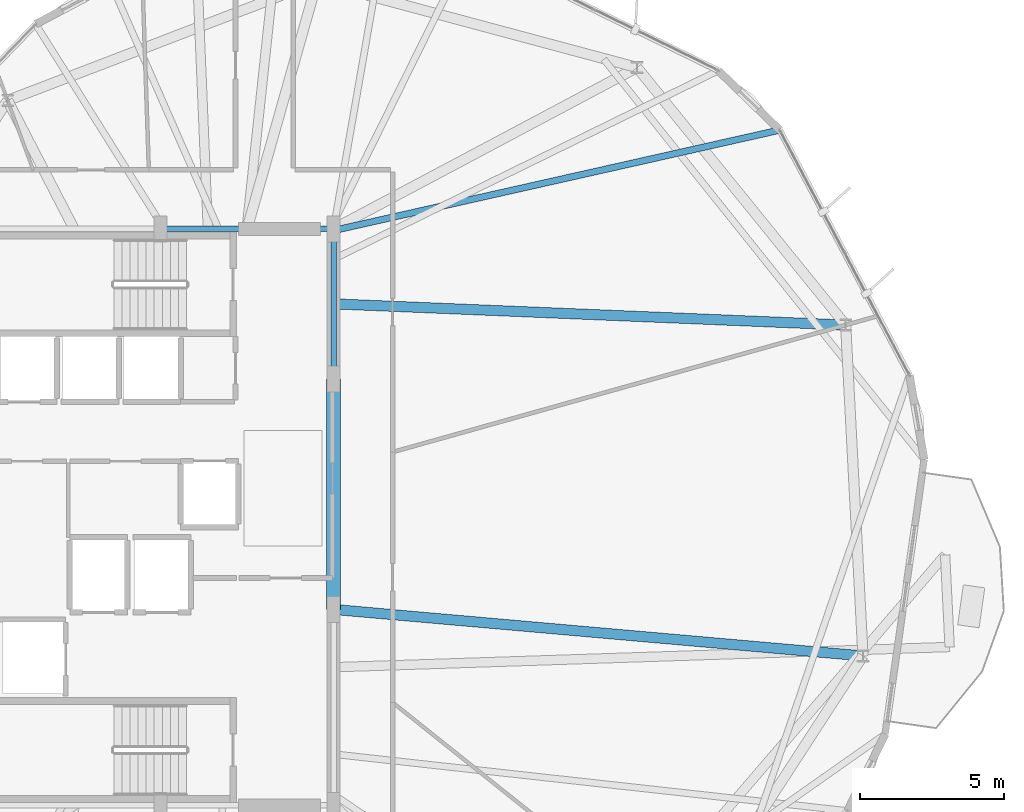
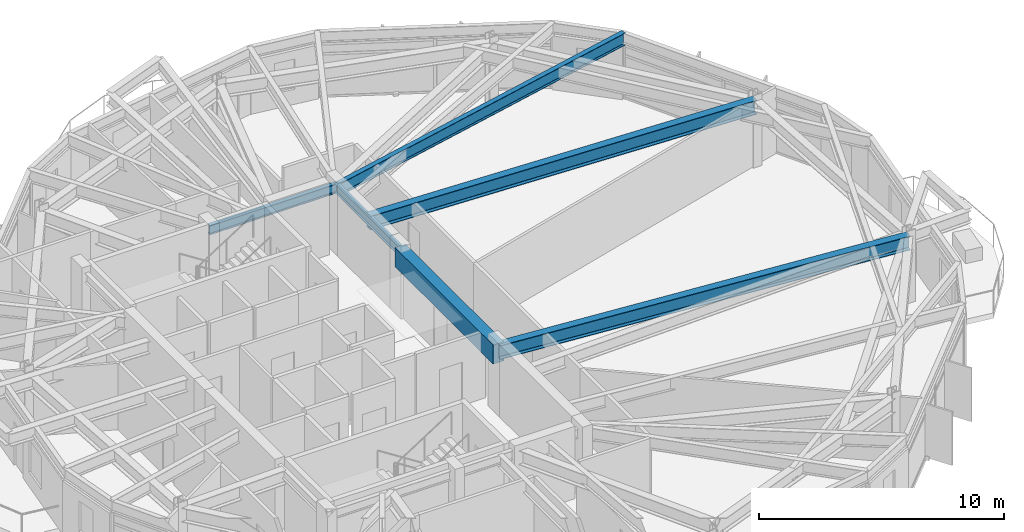
# One storey, part 10 of 28: 6 beams.
"""IFC4 building model written with IfcOpenShell, lengths in metres."""

from ifc_helpers import new_model, si_unit, direction, frame, origin, origin_2d, place, context, subcontext, project, spatial, rectangle, i_section, extrude, material, material_profile, profile_set, type_object, element, save


model = new_model("IFC4")

# Units and contexts
model_context = context("Model", 3, precision=1e-05, world=origin(), true_north=direction((0.0, 1.0)))
body_context = subcontext(model_context, "Body", "Model", "MODEL_VIEW")
ifc_project = project(units=[si_unit("LENGTHUNIT", "METRE"), si_unit("AREAUNIT", "SQUARE_METRE"), si_unit("VOLUMEUNIT", "CUBIC_METRE"), si_unit("PLANEANGLEUNIT", "RADIAN"), si_unit("MASSUNIT", "GRAM", prefix="KILO")], contexts=[model_context])

# Site, building, storey
site_placement = place(None, origin())
site = spatial("IfcSite", under=ifc_project, at=site_placement, CompositionType="ELEMENT")
building_placement = place(site_placement, origin())
building = spatial("IfcBuilding", under=site, at=building_placement, Name="Soratama Intermodal Tower", CompositionType="ELEMENT")
storey_placement = place(building_placement, frame((0.0, 0.0, 201.39990234375)))
storey = spatial("IfcBuildingStorey", under=building, at=storey_placement, Name="L50", CompositionType="ELEMENT", Elevation=201.39990234375)

# Beams
ifc_material_1 = material(Name="Concrete f'c 56 MPa", Category="concrete")
ifc_material_profile_1 = material_profile(ifc_material_1, rectangle(XDim=0.5, YDim=0.949951171875, at=origin_2d()), Name="RC500X950")
ifc_profile_set_1 = profile_set([ifc_material_profile_1], Name="Concrete f'c 56 MPa")
beam_type_1 = type_object("IfcBeamType", Name="BM-CPL-RC500X950", PredefinedType="BEAM", material=ifc_profile_set_1)
beam_1_placement = place(storey_placement, frame((44.60009765625, 21.800048828125, 2.8251953125), z_axis=(0.0, 1.0, 0.0), x_axis=(-1.0, 0.0, 0.0)))
element("IfcBeam", 1, at=beam_1_placement, inside=storey, type_object=beam_type_1, Name="L50 Core Coupling Beam East", PredefinedType="BEAM", context=body_context, shape_type="SweptSolid", body=[
    extrude(rectangle(XDim=0.5, YDim=0.949951171875, at=origin_2d()), origin(), (0.0, 0.0, 1.0), 8.0),
])
ifc_material_2 = material(Name="Structural steel ASTM A992 Grade 50", Category="steel")
ifc_material_profile_2 = material_profile(ifc_material_2, i_section(OverallWidth=0.19091796875, OverallDepth=0.4599609375, WebThickness=0.010009765625, FlangeThickness=0.01611328125, FilletRadius=0.010986328125, at=origin_2d()), Name="W18X55")
ifc_profile_set_2 = profile_set([ifc_material_profile_2], Name="Structural steel ASTM A992 Grade 50")
beam_type_2 = type_object("IfcBeamType", Name="BM-FLR-W18X55", PredefinedType="BEAM", material=ifc_profile_set_2)
beam_2_placement = place(storey_placement, frame((44.60009765625, 29.800048828125, 3.070068359375), z_axis=(0.0, 1.0, 0.0), x_axis=(-1.0, 0.0, 0.0)))
element("IfcBeam", 2, at=beam_2_placement, inside=storey, type_object=beam_type_2, Name="BM-L50-CRING-05", PredefinedType="BEAM", context=body_context, shape_type="SweptSolid", body=[
    extrude(i_section(OverallWidth=0.19091796875, OverallDepth=0.4599609375, WebThickness=0.010009765625, FlangeThickness=0.01611328125, FilletRadius=0.010986328125, at=origin_2d()), origin(), (0.0, 0.0, 1.0), 5.199951171875),
])
beam_3_placement = place(storey_placement, frame((44.60009765625, 35.0, 3.070068359375), z_axis=(-1.0, 0.0, 0.0), x_axis=(0.0, -1.0, 0.0)))
element("IfcBeam", 3, at=beam_3_placement, inside=storey, type_object=beam_type_2, Name="BM-L50-CRING-06", PredefinedType="BEAM", context=body_context, shape_type="SweptSolid", body=[
    extrude(i_section(OverallWidth=0.19091796875, OverallDepth=0.4599609375, WebThickness=0.010009765625, FlangeThickness=0.01611328125, FilletRadius=0.010986328125, at=origin_2d()), origin(), (0.0, 0.0, 1.0), 6.0),
])
ifc_material_3 = material(Name="Structural steel ASTM A992 Grade 50", Category="steel")
ifc_material_profile_3 = material_profile(ifc_material_3, i_section(OverallWidth=0.35498046875, OverallDepth=0.695068359375, WebThickness=0.015380859375, FlangeThickness=0.02490234375, FilletRadius=0.01611328125, at=origin_2d()), Name="W27X146")
ifc_profile_set_3 = profile_set([ifc_material_profile_3], Name="Structural steel ASTM A992 Grade 50")
beam_type_3 = type_object("IfcBeamType", Name="BM-RING-W27X146", PredefinedType="BEAM", material=ifc_profile_set_3)
beam_4_placement = place(storey_placement, frame((44.60009765625, 32.39990234375, 2.95263671875), z_axis=(0.999147788389, -0.041275864109, 0.0), x_axis=(0.041275864109, 0.999147788389, 0.0)))
element("IfcBeam", 4, at=beam_4_placement, inside=storey, type_object=beam_type_3, Name="BM-L50-RAD-01", PredefinedType="BEAM", context=body_context, shape_type="SweptSolid", body=[
    extrude(i_section(OverallWidth=0.35498046875, OverallDepth=0.695068359375, WebThickness=0.015380859375, FlangeThickness=0.02490234375, FilletRadius=0.01611328125, at=origin_2d()), origin(), (0.0, 0.0, 1.0), 17.780029296875),
])
beam_5_placement = place(storey_placement, frame((44.60009765625, 21.800048828125, 2.95263671875), z_axis=(0.996160716813, -0.087543282317, 0.0), x_axis=(0.087543282317, 0.996160716813, 0.0)))
element("IfcBeam", 5, at=beam_5_placement, inside=storey, type_object=beam_type_3, Name="BM-L50-RAD-10", PredefinedType="BEAM", context=body_context, shape_type="SweptSolid", body=[
    extrude(i_section(OverallWidth=0.35498046875, OverallDepth=0.695068359375, WebThickness=0.015380859375, FlangeThickness=0.02490234375, FilletRadius=0.01611328125, at=origin_2d()), origin(), (0.0, 0.0, 1.0), 18.436767578125),
])
ifc_material_4 = material(Name="Structural steel ASTM A992 Grade 50", Category="steel")
ifc_material_profile_4 = material_profile(ifc_material_4, i_section(OverallWidth=0.22900390625, OverallDepth=0.612060546875, WebThickness=0.011962890625, FlangeThickness=0.01953125, FilletRadius=0.012939453125, at=origin_2d()), Name="W24X84")
ifc_profile_set_4 = profile_set([ifc_material_profile_4], Name="Structural steel ASTM A992 Grade 50")
beam_type_4 = type_object("IfcBeamType", Name="BM-TIE-W24X84", PredefinedType="BEAM", material=ifc_profile_set_4)
beam_6_placement = place(storey_placement, frame((44.638916015625, 34.952880859375, 2.994140625), z_axis=(0.975582246049, 0.219634426249, 0.0), x_axis=(-0.219634426249, 0.975582246049, 0.0)))
element("IfcBeam", 6, at=beam_6_placement, inside=storey, type_object=beam_type_4, Name="BM-L50-TIE1-10", PredefinedType="BEAM", context=body_context, shape_type="SweptSolid", body=[
    extrude(i_section(OverallWidth=0.22900390625, OverallDepth=0.612060546875, WebThickness=0.011962890625, FlangeThickness=0.01953125, FilletRadius=0.012939453125, at=origin_2d()), origin(), (0.0, 0.0, 1.0), 15.82666015625),
])

save(model, "model.ifc")
